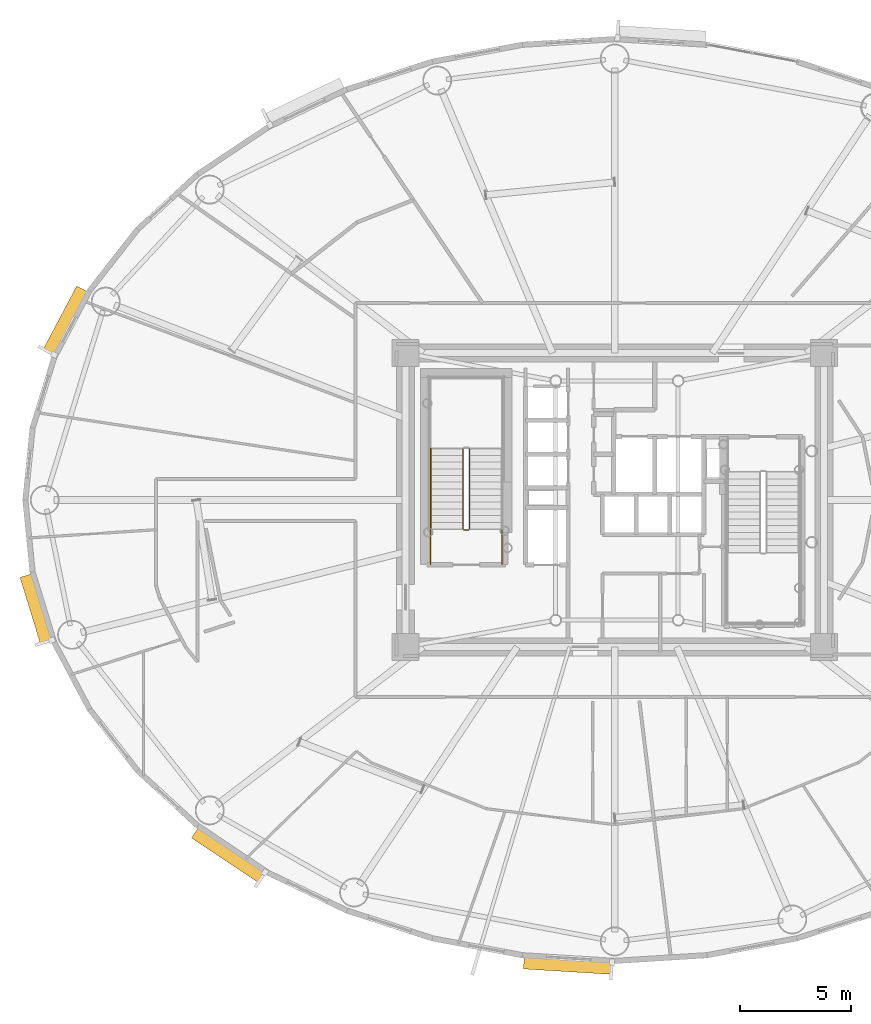
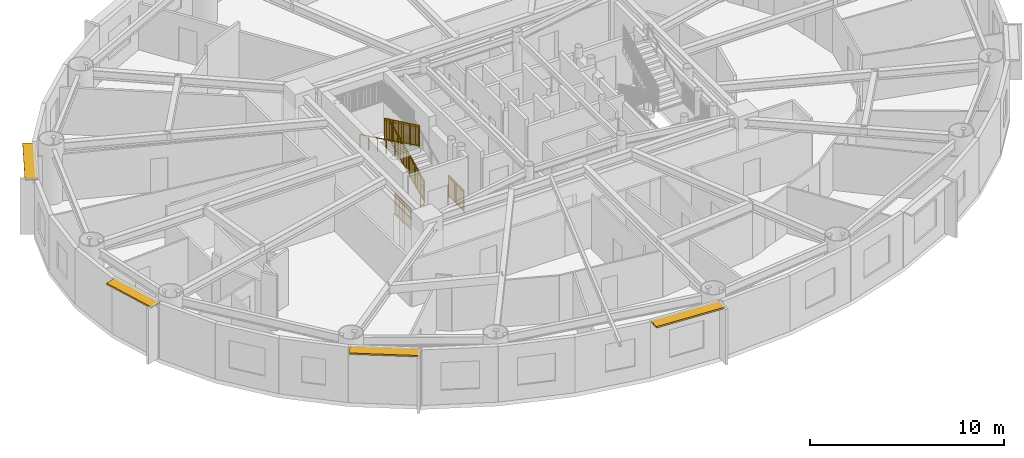
# One storey, part 16 of 21: 6 railings, 4 shading devices.
"""IFC4 building model written with IfcOpenShell, lengths in metres."""

from ifc_helpers import new_model, si_unit, direction, frame, origin, origin_2d, place, context, subcontext, project, spatial, rectangle, extrude, source, transform, mapped, material, layer, layer_set, type_object, element, save


model = new_model("IFC4")

# Units and contexts
model_context = context("Model", 3, precision=1e-05, world=origin(), true_north=direction((0.0, 1.0)))
body_context = subcontext(model_context, "Body", "Model", "MODEL_VIEW")
ifc_project = project(units=[si_unit("LENGTHUNIT", "METRE"), si_unit("AREAUNIT", "SQUARE_METRE"), si_unit("VOLUMEUNIT", "CUBIC_METRE"), si_unit("PLANEANGLEUNIT", "RADIAN"), si_unit("MASSUNIT", "GRAM", prefix="KILO")], contexts=[model_context])

# Site, building, storey
site_placement = place(None, origin())
site = spatial("IfcSite", under=ifc_project, at=site_placement, CompositionType="ELEMENT")
building_placement = place(site_placement, origin())
building = spatial("IfcBuilding", under=site, at=building_placement, Name="Linh Dai School and Residence Tower", CompositionType="ELEMENT")
storey_placement = place(building_placement, frame((0.0, 0.0, 171.14990234375)))
storey = spatial("IfcBuildingStorey", under=building, at=storey_placement, Name="L41", CompositionType="ELEMENT", Elevation=171.14990234375)

# Shading devices
ifc_material_1 = material(Name="Terracotta Ceramic Sunshade", Category="masonry")
ifc_layer = layer(ifc_material_1, 0.10009765625)
ifc_layer_set = layer_set([ifc_layer], Name="Terracotta Ceramic Sunshade")
shading_device_type = type_object("IfcShadingDeviceType", Name="SHD-TC-650", PredefinedType="USERDEFINED", material=ifc_layer_set)
shared_shape_1 = source(origin(), body_context, "Body", "SweptSolid", [
    extrude(rectangle(XDim=3.168212890625, YDim=0.64990234375, at=origin_2d()), origin(), (0.0, 0.0, 1.0), 0.10009765625),
])
shading_device_1_placement = place(storey_placement, frame((10.061279296875, 22.105224609375, 3.380126953125), z_axis=(0.0, 0.0, 1.0), x_axis=(-0.293121969301, 0.956075055167, 0.0)))
element("IfcShadingDevice", 1, at=shading_device_1_placement, inside=storey, type_object=shading_device_type, Name="L41 Terracotta Horizontal Sunshade Band 22", ObjectType="SUNSHADE", PredefinedType="USERDEFINED", context=body_context, shape_type="MappedRepresentation", body=[
    mapped(shared_shape_1, transform((0.0, 0.0, 0.0), x_axis=(1.0, 0.0, 0.0), y_axis=(0.0, 1.0, 0.0), z_axis=(0.0, 0.0, 1.0), scale=1.0)),
])
shared_shape_2 = source(origin(), body_context, "Body", "SweptSolid", [
    extrude(rectangle(XDim=3.64794921875, YDim=0.64990234375, at=origin_2d()), origin(), (0.0, 0.0, 1.0), 0.10009765625),
])
shading_device_2_placement = place(storey_placement, frame((18.68896484375, 11.076171875, 3.380126953125), z_axis=(0.0, 0.0, 1.0), x_axis=(-0.831228338651, 0.555931154932, 0.0)))
element("IfcShadingDevice", 2, at=shading_device_2_placement, inside=storey, type_object=shading_device_type, Name="L41 Terracotta Horizontal Sunshade Band 26", ObjectType="SUNSHADE", PredefinedType="USERDEFINED", context=body_context, shape_type="MappedRepresentation", body=[
    mapped(shared_shape_2, transform((0.0, 0.0, 0.0), x_axis=(1.0, 0.0, 0.0), y_axis=(0.0, 1.0, 0.0), z_axis=(0.0, 0.0, 1.0), scale=1.0)),
])
shared_shape_3 = source(origin(), body_context, "Body", "SweptSolid", [
    extrude(rectangle(XDim=3.987548828125, YDim=0.64990234375, at=origin_2d()), origin(), (0.0, 0.0, 1.0), 0.10009765625),
])
shading_device_3_placement = place(storey_placement, frame((33.90966796875, 6.13818359375, 3.380126953125), z_axis=(0.0, 0.0, 1.0), x_axis=(-0.99810632076, 0.061512376467, 0.0)))
element("IfcShadingDevice", 3, at=shading_device_3_placement, inside=storey, type_object=shading_device_type, Name="L41 Terracotta Horizontal Sunshade Band 30", ObjectType="SUNSHADE", PredefinedType="USERDEFINED", context=body_context, shape_type="MappedRepresentation", body=[
    mapped(shared_shape_3, transform((0.0, 0.0, 0.0), x_axis=(1.0, 0.0, 0.0), y_axis=(0.0, 1.0, 0.0), z_axis=(0.0, 0.0, 1.0), scale=1.0)),
])
shared_shape_4 = source(origin(), body_context, "Body", "SweptSolid", [
    extrude(rectangle(XDim=3.257568359375, YDim=0.64990234375, at=origin_2d()), origin(), (0.0, 0.0, 1.0), 0.10009765625),
])
shading_device_4_placement = place(storey_placement, frame((11.358642578125, 35.02197265625, 3.380126953125), z_axis=(0.0, 0.0, 1.0), x_axis=(0.467580060884, 0.883950726378, 0.0)))
element("IfcShadingDevice", 4, at=shading_device_4_placement, inside=storey, type_object=shading_device_type, Name="L41 Terracotta Horizontal Sunshade Band 18", ObjectType="SUNSHADE", PredefinedType="USERDEFINED", context=body_context, shape_type="MappedRepresentation", body=[
    mapped(shared_shape_4, transform((0.0, 0.0, 0.0), x_axis=(1.0, 0.0, 0.0), y_axis=(0.0, 1.0, 0.0), z_axis=(0.0, 0.0, 1.0), scale=1.0)),
])

# Railings
ifc_material_2 = material(Name="Structural Steel S355JR", Category="steel")
railing_type_1 = type_object("IfcRailingType", Name="RL-ST-GUARD-1400", PredefinedType="GUARDRAIL", material=ifc_material_2)
shared_shape_5 = source(origin(), body_context, "Body", "SweptSolid", [
    extrude(rectangle(XDim=0.048095703125, YDim=0.048095703125, at=origin_2d()), frame((0.0, 0.0, 1.3759765625), z_axis=(-1.0, 0.0, 0.0), x_axis=(0.0, -1.0, 0.0)), (0.0, 0.0, 1.0), 0.199951171875),
    extrude(rectangle(XDim=0.048095703125, YDim=0.048095703125, at=origin_2d()), frame((0.0, 0.0, 0.10009765625), z_axis=(-1.0, 0.0, 0.0), x_axis=(0.0, -1.0, 0.0)), (0.0, 0.0, 1.0), 0.199951171875),
    extrude(rectangle(XDim=0.030029296875, YDim=0.030029296875, at=origin_2d()), frame((0.0, 0.0, 1.239990234375), z_axis=(-1.0, 0.0, 0.0), x_axis=(0.0, -1.0, 0.0)), (0.0, 0.0, 1.0), 0.199951171875),
    extrude(rectangle(XDim=0.0419921875, YDim=0.0419921875, at=origin_2d()), origin(), (0.0, 0.0, 1.0), 1.3759765625),
    extrude(rectangle(XDim=0.0419921875, YDim=0.0419921875, at=origin_2d()), frame((-0.199951171875, 0.0, 0.0)), (0.0, 0.0, 1.0), 1.3759765625),
])
railing_1_placement = place(storey_placement, frame((29.429931640625, 25.64990234375, 0.0)))
element("IfcRailing", 5, at=railing_1_placement, inside=storey, type_object=railing_type_1, Name="L41 ST1 stair guard 7", PredefinedType="GUARDRAIL", context=body_context, shape_type="MappedRepresentation", body=[
    mapped(shared_shape_5, transform((0.0, 0.0, 0.0), x_axis=(1.0, 0.0, 0.0), y_axis=(0.0, 1.0, 0.0), z_axis=(0.0, 0.0, 1.0), scale=1.0)),
])
shared_shape_6 = source(origin(), body_context, "Body", "SweptSolid", [
    extrude(rectangle(XDim=0.048095703125, YDim=0.048095703125, at=origin_2d()), frame((0.0, 0.0, 1.3759765625), z_axis=(0.0, 1.0, 0.0), x_axis=(-1.0, 0.0, 0.0)), (0.0, 0.0, 1.0), 1.599853515625),
    extrude(rectangle(XDim=0.048095703125, YDim=0.048095703125, at=origin_2d()), frame((0.0, 0.0, 0.10009765625), z_axis=(0.0, 1.0, 0.0), x_axis=(-1.0, 0.0, 0.0)), (0.0, 0.0, 1.0), 1.599853515625),
    extrude(rectangle(XDim=0.030029296875, YDim=0.030029296875, at=origin_2d()), frame((0.0, 0.0, 1.239990234375), z_axis=(0.0, 1.0, 0.0), x_axis=(-1.0, 0.0, 0.0)), (0.0, 0.0, 1.0), 1.599853515625),
    extrude(rectangle(XDim=0.02001953125, YDim=0.02001953125, at=origin_2d()), frame((0.0, 0.093994140625, 0.10009765625)), (0.0, 0.0, 1.0), 1.251708984375),
    extrude(rectangle(XDim=0.02001953125, YDim=0.02001953125, at=origin_2d()), frame((0.0, 0.188232421875, 0.10009765625)), (0.0, 0.0, 1.0), 1.251708984375),
    extrude(rectangle(XDim=0.02001953125, YDim=0.02001953125, at=origin_2d()), frame((0.0, 0.2822265625, 0.10009765625)), (0.0, 0.0, 1.0), 1.251708984375),
    extrude(rectangle(XDim=0.02001953125, YDim=0.02001953125, at=origin_2d()), frame((0.0, 0.37646484375, 0.10009765625)), (0.0, 0.0, 1.0), 1.251708984375),
    extrude(rectangle(XDim=0.02001953125, YDim=0.02001953125, at=origin_2d()), frame((0.0, 0.470458984375, 0.10009765625)), (0.0, 0.0, 1.0), 1.251708984375),
    extrude(rectangle(XDim=0.02001953125, YDim=0.02001953125, at=origin_2d()), frame((0.0, 0.564697265625, 0.10009765625)), (0.0, 0.0, 1.0), 1.251708984375),
    extrude(rectangle(XDim=0.02001953125, YDim=0.02001953125, at=origin_2d()), frame((0.0, 0.65869140625, 0.10009765625)), (0.0, 0.0, 1.0), 1.251708984375),
    extrude(rectangle(XDim=0.02001953125, YDim=0.02001953125, at=origin_2d()), frame((0.0, 0.7529296875, 0.10009765625)), (0.0, 0.0, 1.0), 1.251708984375),
    extrude(rectangle(XDim=0.02001953125, YDim=0.02001953125, at=origin_2d()), frame((0.0, 0.846923828125, 0.10009765625)), (0.0, 0.0, 1.0), 1.251708984375),
    extrude(rectangle(XDim=0.02001953125, YDim=0.02001953125, at=origin_2d()), frame((0.0, 0.941162109375, 0.10009765625)), (0.0, 0.0, 1.0), 1.251708984375),
    extrude(rectangle(XDim=0.02001953125, YDim=0.02001953125, at=origin_2d()), frame((0.0, 1.03515625, 0.10009765625)), (0.0, 0.0, 1.0), 1.251708984375),
    extrude(rectangle(XDim=0.02001953125, YDim=0.02001953125, at=origin_2d()), frame((0.0, 1.12939453125, 0.10009765625)), (0.0, 0.0, 1.0), 1.251708984375),
    extrude(rectangle(XDim=0.02001953125, YDim=0.02001953125, at=origin_2d()), frame((0.0, 1.223388671875, 0.10009765625)), (0.0, 0.0, 1.0), 1.251708984375),
    extrude(rectangle(XDim=0.02001953125, YDim=0.02001953125, at=origin_2d()), frame((0.0, 1.317626953125, 0.10009765625)), (0.0, 0.0, 1.0), 1.251708984375),
    extrude(rectangle(XDim=0.02001953125, YDim=0.02001953125, at=origin_2d()), frame((0.0, 1.41162109375, 0.10009765625)), (0.0, 0.0, 1.0), 1.251708984375),
    extrude(rectangle(XDim=0.02001953125, YDim=0.02001953125, at=origin_2d()), frame((0.0, 1.505859375, 0.10009765625)), (0.0, 0.0, 1.0), 1.251708984375),
    extrude(rectangle(XDim=0.0419921875, YDim=0.0419921875, at=origin_2d()), origin(), (0.0, 0.0, 1.0), 1.3759765625),
    extrude(rectangle(XDim=0.0419921875, YDim=0.0419921875, at=origin_2d()), frame((0.0, 0.7998046875, 0.0)), (0.0, 0.0, 1.0), 1.3759765625),
    extrude(rectangle(XDim=0.0419921875, YDim=0.0419921875, at=origin_2d()), frame((0.0, 1.599853515625, 0.0)), (0.0, 0.0, 1.0), 1.3759765625),
])
for number, where, name in (
    (6, (30.929931640625, 24.10009765625, 0.0), "L41 ST1 stair guard 8"),
    (7, (27.72998046875, 24.10009765625, 0.0), "L41 ST1 stair guard 9"),
):
    element("IfcRailing", number, at=place(storey_placement, frame(where)), inside=storey, type_object=railing_type_1, Name=name, PredefinedType="GUARDRAIL", context=body_context, shape_type="MappedRepresentation", body=[
        mapped(shared_shape_6, transform((0.0, 0.0, 0.0), x_axis=(1.0, 0.0, 0.0), y_axis=(0.0, 1.0, 0.0), z_axis=(0.0, 0.0, 1.0), scale=1.0)),
    ])
shared_shape_7 = source(origin(), body_context, "Body", "SweptSolid", [
    extrude(rectangle(XDim=0.048095703125, YDim=0.048095703125, at=origin_2d()), frame((0.0, 0.0, 1.3759765625), z_axis=(0.0, 0.901262522062, 0.433273431364), x_axis=(-1.0, 0.0, 0.0)), (0.0, 0.0, 1.0), 3.994384765625),
    extrude(rectangle(XDim=0.048095703125, YDim=0.048095703125, at=origin_2d()), frame((0.0, 0.0, 0.10009765625), z_axis=(0.0, 0.901262522062, 0.433273431364), x_axis=(-1.0, 0.0, 0.0)), (0.0, 0.0, 1.0), 3.994384765625),
    extrude(rectangle(XDim=0.030029296875, YDim=0.030029296875, at=origin_2d()), frame((0.0, 0.0, 1.239990234375), z_axis=(0.0, 0.901262522062, 0.433273431364), x_axis=(-1.0, 0.0, 0.0)), (0.0, 0.0, 1.0), 3.994384765625),
    extrude(rectangle(XDim=0.02001953125, YDim=0.02001953125, at=origin_2d()), frame((0.0, 0.087890625, 0.142333984375)), (0.0, 0.0, 1.0), 1.251708984375),
    extrude(rectangle(XDim=0.02001953125, YDim=0.02001953125, at=origin_2d()), frame((0.0, 0.175537109375, 0.1845703125)), (0.0, 0.0, 1.0), 1.251708984375),
    extrude(rectangle(XDim=0.02001953125, YDim=0.02001953125, at=origin_2d()), frame((0.0, 0.263427734375, 0.226806640625)), (0.0, 0.0, 1.0), 1.251708984375),
    extrude(rectangle(XDim=0.02001953125, YDim=0.02001953125, at=origin_2d()), frame((0.0, 0.351318359375, 0.26904296875)), (0.0, 0.0, 1.0), 1.251708984375),
    extrude(rectangle(XDim=0.02001953125, YDim=0.02001953125, at=origin_2d()), frame((0.0, 0.43896484375, 0.311279296875)), (0.0, 0.0, 1.0), 1.251708984375),
    extrude(rectangle(XDim=0.02001953125, YDim=0.02001953125, at=origin_2d()), frame((0.0, 0.52685546875, 0.353271484375)), (0.0, 0.0, 1.0), 1.251708984375),
    extrude(rectangle(XDim=0.02001953125, YDim=0.02001953125, at=origin_2d()), frame((0.0, 0.61474609375, 0.3955078125)), (0.0, 0.0, 1.0), 1.251708984375),
    extrude(rectangle(XDim=0.02001953125, YDim=0.02001953125, at=origin_2d()), frame((0.0, 0.702392578125, 0.437744140625)), (0.0, 0.0, 1.0), 1.251708984375),
    extrude(rectangle(XDim=0.02001953125, YDim=0.02001953125, at=origin_2d()), frame((0.0, 0.790283203125, 0.47998046875)), (0.0, 0.0, 1.0), 1.251708984375),
    extrude(rectangle(XDim=0.02001953125, YDim=0.02001953125, at=origin_2d()), frame((0.0, 0.9658203125, 0.564453125)), (0.0, 0.0, 1.0), 1.251708984375),
    extrude(rectangle(XDim=0.02001953125, YDim=0.02001953125, at=origin_2d()), frame((0.0, 1.0537109375, 0.606689453125)), (0.0, 0.0, 1.0), 1.251708984375),
    extrude(rectangle(XDim=0.02001953125, YDim=0.02001953125, at=origin_2d()), frame((0.0, 1.1416015625, 0.64892578125)), (0.0, 0.0, 1.0), 1.251708984375),
    extrude(rectangle(XDim=0.02001953125, YDim=0.02001953125, at=origin_2d()), frame((0.0, 1.229248046875, 0.691162109375)), (0.0, 0.0, 1.0), 1.251708984375),
    extrude(rectangle(XDim=0.02001953125, YDim=0.02001953125, at=origin_2d()), frame((0.0, 1.317138671875, 0.7333984375)), (0.0, 0.0, 1.0), 1.251708984375),
    extrude(rectangle(XDim=0.02001953125, YDim=0.02001953125, at=origin_2d()), frame((0.0, 1.405029296875, 0.775390625)), (0.0, 0.0, 1.0), 1.251708984375),
    extrude(rectangle(XDim=0.02001953125, YDim=0.02001953125, at=origin_2d()), frame((0.0, 1.49267578125, 0.817626953125)), (0.0, 0.0, 1.0), 1.251708984375),
    extrude(rectangle(XDim=0.02001953125, YDim=0.02001953125, at=origin_2d()), frame((0.0, 1.58056640625, 0.85986328125)), (0.0, 0.0, 1.0), 1.251708984375),
    extrude(rectangle(XDim=0.02001953125, YDim=0.02001953125, at=origin_2d()), frame((0.0, 1.66845703125, 0.902099609375)), (0.0, 0.0, 1.0), 1.251708984375),
    extrude(rectangle(XDim=0.02001953125, YDim=0.02001953125, at=origin_2d()), frame((0.0, 1.756103515625, 0.9443359375)), (0.0, 0.0, 1.0), 1.251708984375),
    extrude(rectangle(XDim=0.02001953125, YDim=0.02001953125, at=origin_2d()), frame((0.0, 1.843994140625, 0.986572265625)), (0.0, 0.0, 1.0), 1.251708984375),
    extrude(rectangle(XDim=0.02001953125, YDim=0.02001953125, at=origin_2d()), frame((0.0, 1.931640625, 1.02880859375)), (0.0, 0.0, 1.0), 1.251708984375),
    extrude(rectangle(XDim=0.02001953125, YDim=0.02001953125, at=origin_2d()), frame((0.0, 2.01953125, 1.071044921875)), (0.0, 0.0, 1.0), 1.251708984375),
    extrude(rectangle(XDim=0.02001953125, YDim=0.02001953125, at=origin_2d()), frame((0.0, 2.107421875, 1.11328125)), (0.0, 0.0, 1.0), 1.251708984375),
    extrude(rectangle(XDim=0.02001953125, YDim=0.02001953125, at=origin_2d()), frame((0.0, 2.195068359375, 1.155517578125)), (0.0, 0.0, 1.0), 1.251708984375),
    extrude(rectangle(XDim=0.02001953125, YDim=0.02001953125, at=origin_2d()), frame((0.0, 2.282958984375, 1.197509765625)), (0.0, 0.0, 1.0), 1.251708984375),
    extrude(rectangle(XDim=0.02001953125, YDim=0.02001953125, at=origin_2d()), frame((0.0, 2.370849609375, 1.23974609375)), (0.0, 0.0, 1.0), 1.251708984375),
    extrude(rectangle(XDim=0.02001953125, YDim=0.02001953125, at=origin_2d()), frame((0.0, 2.45849609375, 1.281982421875)), (0.0, 0.0, 1.0), 1.251708984375),
    extrude(rectangle(XDim=0.02001953125, YDim=0.02001953125, at=origin_2d()), frame((0.0, 2.54638671875, 1.32421875)), (0.0, 0.0, 1.0), 1.251708984375),
    extrude(rectangle(XDim=0.02001953125, YDim=0.02001953125, at=origin_2d()), frame((0.0, 2.63427734375, 1.366455078125)), (0.0, 0.0, 1.0), 1.251708984375),
    extrude(rectangle(XDim=0.02001953125, YDim=0.02001953125, at=origin_2d()), frame((0.0, 2.809814453125, 1.450927734375)), (0.0, 0.0, 1.0), 1.251708984375),
    extrude(rectangle(XDim=0.02001953125, YDim=0.02001953125, at=origin_2d()), frame((0.0, 2.897705078125, 1.4931640625)), (0.0, 0.0, 1.0), 1.251708984375),
    extrude(rectangle(XDim=0.02001953125, YDim=0.02001953125, at=origin_2d()), frame((0.0, 2.9853515625, 1.535400390625)), (0.0, 0.0, 1.0), 1.251708984375),
    extrude(rectangle(XDim=0.02001953125, YDim=0.02001953125, at=origin_2d()), frame((0.0, 3.0732421875, 1.57763671875)), (0.0, 0.0, 1.0), 1.251708984375),
    extrude(rectangle(XDim=0.02001953125, YDim=0.02001953125, at=origin_2d()), frame((0.0, 3.1611328125, 1.61962890625)), (0.0, 0.0, 1.0), 1.251708984375),
    extrude(rectangle(XDim=0.02001953125, YDim=0.02001953125, at=origin_2d()), frame((0.0, 3.248779296875, 1.661865234375)), (0.0, 0.0, 1.0), 1.251708984375),
    extrude(rectangle(XDim=0.02001953125, YDim=0.02001953125, at=origin_2d()), frame((0.0, 3.336669921875, 1.7041015625)), (0.0, 0.0, 1.0), 1.251708984375),
    extrude(rectangle(XDim=0.02001953125, YDim=0.02001953125, at=origin_2d()), frame((0.0, 3.424560546875, 1.746337890625)), (0.0, 0.0, 1.0), 1.251708984375),
    extrude(rectangle(XDim=0.02001953125, YDim=0.02001953125, at=origin_2d()), frame((0.0, 3.51220703125, 1.78857421875)), (0.0, 0.0, 1.0), 1.251708984375),
    extrude(rectangle(XDim=0.0419921875, YDim=0.0419921875, at=origin_2d()), origin(), (0.0, 0.0, 1.0), 1.3759765625),
    extrude(rectangle(XDim=0.0419921875, YDim=0.0419921875, at=origin_2d()), frame((0.0, 0.89990234375, 0.4326171875)), (0.0, 0.0, 1.0), 1.3759765625),
    extrude(rectangle(XDim=0.0419921875, YDim=0.0419921875, at=origin_2d()), frame((0.0, 1.800048828125, 0.865234375)), (0.0, 0.0, 1.0), 1.3759765625),
    extrude(rectangle(XDim=0.0419921875, YDim=0.0419921875, at=origin_2d()), frame((0.0, 2.7001953125, 1.298095703125)), (0.0, 0.0, 1.0), 1.3759765625),
    extrude(rectangle(XDim=0.0419921875, YDim=0.0419921875, at=origin_2d()), frame((0.0, 3.60009765625, 1.730712890625)), (0.0, 0.0, 1.0), 1.3759765625),
])
railing_2_placement = place(storey_placement, frame((29.47998046875, 25.699951171875, 0.144287109375)))
element("IfcRailing", 8, at=railing_2_placement, inside=storey, type_object=railing_type_1, Name="L41 ST1 stair guard 1", PredefinedType="GUARDRAIL", context=body_context, shape_type="MappedRepresentation", body=[
    mapped(shared_shape_7, transform((0.0, 0.0, 0.0), x_axis=(1.0, 0.0, 0.0), y_axis=(0.0, 1.0, 0.0), z_axis=(0.0, 0.0, 1.0), scale=1.0)),
])
shared_shape_8 = source(origin(), body_context, "Body", "SweptSolid", [
    extrude(rectangle(XDim=0.048095703125, YDim=0.048095703125, at=origin_2d()), frame((0.0, 0.0, 1.3759765625), z_axis=(0.0, -0.901262522062, 0.433273431364), x_axis=(1.0, 0.0, 0.0)), (0.0, 0.0, 1.0), 3.994384765625),
    extrude(rectangle(XDim=0.048095703125, YDim=0.048095703125, at=origin_2d()), frame((0.0, 0.0, 0.10009765625), z_axis=(0.0, -0.901262522062, 0.433273431364), x_axis=(1.0, 0.0, 0.0)), (0.0, 0.0, 1.0), 3.994384765625),
    extrude(rectangle(XDim=0.030029296875, YDim=0.030029296875, at=origin_2d()), frame((0.0, 0.0, 1.239990234375), z_axis=(0.0, -0.901262522062, 0.433273431364), x_axis=(1.0, 0.0, 0.0)), (0.0, 0.0, 1.0), 3.994384765625),
    extrude(rectangle(XDim=0.02001953125, YDim=0.02001953125, at=origin_2d()), frame((0.0, -0.087890625, 0.142333984375)), (0.0, 0.0, 1.0), 1.251708984375),
    extrude(rectangle(XDim=0.02001953125, YDim=0.02001953125, at=origin_2d()), frame((0.0, -0.175537109375, 0.1845703125)), (0.0, 0.0, 1.0), 1.251708984375),
    extrude(rectangle(XDim=0.02001953125, YDim=0.02001953125, at=origin_2d()), frame((0.0, -0.263427734375, 0.226806640625)), (0.0, 0.0, 1.0), 1.251708984375),
    extrude(rectangle(XDim=0.02001953125, YDim=0.02001953125, at=origin_2d()), frame((0.0, -0.351318359375, 0.26904296875)), (0.0, 0.0, 1.0), 1.251708984375),
    extrude(rectangle(XDim=0.02001953125, YDim=0.02001953125, at=origin_2d()), frame((0.0, -0.43896484375, 0.311279296875)), (0.0, 0.0, 1.0), 1.251708984375),
    extrude(rectangle(XDim=0.02001953125, YDim=0.02001953125, at=origin_2d()), frame((0.0, -0.52685546875, 0.353271484375)), (0.0, 0.0, 1.0), 1.251708984375),
    extrude(rectangle(XDim=0.02001953125, YDim=0.02001953125, at=origin_2d()), frame((0.0, -0.61474609375, 0.3955078125)), (0.0, 0.0, 1.0), 1.251708984375),
    extrude(rectangle(XDim=0.02001953125, YDim=0.02001953125, at=origin_2d()), frame((0.0, -0.702392578125, 0.437744140625)), (0.0, 0.0, 1.0), 1.251708984375),
    extrude(rectangle(XDim=0.02001953125, YDim=0.02001953125, at=origin_2d()), frame((0.0, -0.790283203125, 0.47998046875)), (0.0, 0.0, 1.0), 1.251708984375),
    extrude(rectangle(XDim=0.02001953125, YDim=0.02001953125, at=origin_2d()), frame((0.0, -0.9658203125, 0.564453125)), (0.0, 0.0, 1.0), 1.251708984375),
    extrude(rectangle(XDim=0.02001953125, YDim=0.02001953125, at=origin_2d()), frame((0.0, -1.0537109375, 0.606689453125)), (0.0, 0.0, 1.0), 1.251708984375),
    extrude(rectangle(XDim=0.02001953125, YDim=0.02001953125, at=origin_2d()), frame((0.0, -1.1416015625, 0.64892578125)), (0.0, 0.0, 1.0), 1.251708984375),
    extrude(rectangle(XDim=0.02001953125, YDim=0.02001953125, at=origin_2d()), frame((0.0, -1.229248046875, 0.691162109375)), (0.0, 0.0, 1.0), 1.251708984375),
    extrude(rectangle(XDim=0.02001953125, YDim=0.02001953125, at=origin_2d()), frame((0.0, -1.317138671875, 0.7333984375)), (0.0, 0.0, 1.0), 1.251708984375),
    extrude(rectangle(XDim=0.02001953125, YDim=0.02001953125, at=origin_2d()), frame((0.0, -1.405029296875, 0.775390625)), (0.0, 0.0, 1.0), 1.251708984375),
    extrude(rectangle(XDim=0.02001953125, YDim=0.02001953125, at=origin_2d()), frame((0.0, -1.49267578125, 0.817626953125)), (0.0, 0.0, 1.0), 1.251708984375),
    extrude(rectangle(XDim=0.02001953125, YDim=0.02001953125, at=origin_2d()), frame((0.0, -1.58056640625, 0.85986328125)), (0.0, 0.0, 1.0), 1.251708984375),
    extrude(rectangle(XDim=0.02001953125, YDim=0.02001953125, at=origin_2d()), frame((0.0, -1.66845703125, 0.902099609375)), (0.0, 0.0, 1.0), 1.251708984375),
    extrude(rectangle(XDim=0.02001953125, YDim=0.02001953125, at=origin_2d()), frame((0.0, -1.756103515625, 0.9443359375)), (0.0, 0.0, 1.0), 1.251708984375),
    extrude(rectangle(XDim=0.02001953125, YDim=0.02001953125, at=origin_2d()), frame((0.0, -1.843994140625, 0.986572265625)), (0.0, 0.0, 1.0), 1.251708984375),
    extrude(rectangle(XDim=0.02001953125, YDim=0.02001953125, at=origin_2d()), frame((0.0, -1.931640625, 1.02880859375)), (0.0, 0.0, 1.0), 1.251708984375),
    extrude(rectangle(XDim=0.02001953125, YDim=0.02001953125, at=origin_2d()), frame((0.0, -2.01953125, 1.071044921875)), (0.0, 0.0, 1.0), 1.251708984375),
    extrude(rectangle(XDim=0.02001953125, YDim=0.02001953125, at=origin_2d()), frame((0.0, -2.107421875, 1.11328125)), (0.0, 0.0, 1.0), 1.251708984375),
    extrude(rectangle(XDim=0.02001953125, YDim=0.02001953125, at=origin_2d()), frame((0.0, -2.195068359375, 1.155517578125)), (0.0, 0.0, 1.0), 1.251708984375),
    extrude(rectangle(XDim=0.02001953125, YDim=0.02001953125, at=origin_2d()), frame((0.0, -2.282958984375, 1.197509765625)), (0.0, 0.0, 1.0), 1.251708984375),
    extrude(rectangle(XDim=0.02001953125, YDim=0.02001953125, at=origin_2d()), frame((0.0, -2.370849609375, 1.23974609375)), (0.0, 0.0, 1.0), 1.251708984375),
    extrude(rectangle(XDim=0.02001953125, YDim=0.02001953125, at=origin_2d()), frame((0.0, -2.45849609375, 1.281982421875)), (0.0, 0.0, 1.0), 1.251708984375),
    extrude(rectangle(XDim=0.02001953125, YDim=0.02001953125, at=origin_2d()), frame((0.0, -2.54638671875, 1.32421875)), (0.0, 0.0, 1.0), 1.251708984375),
    extrude(rectangle(XDim=0.02001953125, YDim=0.02001953125, at=origin_2d()), frame((0.0, -2.63427734375, 1.366455078125)), (0.0, 0.0, 1.0), 1.251708984375),
    extrude(rectangle(XDim=0.02001953125, YDim=0.02001953125, at=origin_2d()), frame((0.0, -2.809814453125, 1.450927734375)), (0.0, 0.0, 1.0), 1.251708984375),
    extrude(rectangle(XDim=0.02001953125, YDim=0.02001953125, at=origin_2d()), frame((0.0, -2.897705078125, 1.4931640625)), (0.0, 0.0, 1.0), 1.251708984375),
    extrude(rectangle(XDim=0.02001953125, YDim=0.02001953125, at=origin_2d()), frame((0.0, -2.9853515625, 1.535400390625)), (0.0, 0.0, 1.0), 1.251708984375),
    extrude(rectangle(XDim=0.02001953125, YDim=0.02001953125, at=origin_2d()), frame((0.0, -3.0732421875, 1.57763671875)), (0.0, 0.0, 1.0), 1.251708984375),
    extrude(rectangle(XDim=0.02001953125, YDim=0.02001953125, at=origin_2d()), frame((0.0, -3.1611328125, 1.61962890625)), (0.0, 0.0, 1.0), 1.251708984375),
    extrude(rectangle(XDim=0.02001953125, YDim=0.02001953125, at=origin_2d()), frame((0.0, -3.248779296875, 1.661865234375)), (0.0, 0.0, 1.0), 1.251708984375),
    extrude(rectangle(XDim=0.02001953125, YDim=0.02001953125, at=origin_2d()), frame((0.0, -3.336669921875, 1.7041015625)), (0.0, 0.0, 1.0), 1.251708984375),
    extrude(rectangle(XDim=0.02001953125, YDim=0.02001953125, at=origin_2d()), frame((0.0, -3.424560546875, 1.746337890625)), (0.0, 0.0, 1.0), 1.251708984375),
    extrude(rectangle(XDim=0.02001953125, YDim=0.02001953125, at=origin_2d()), frame((0.0, -3.51220703125, 1.78857421875)), (0.0, 0.0, 1.0), 1.251708984375),
    extrude(rectangle(XDim=0.0419921875, YDim=0.0419921875, at=origin_2d()), origin(), (0.0, 0.0, 1.0), 1.3759765625),
    extrude(rectangle(XDim=0.0419921875, YDim=0.0419921875, at=origin_2d()), frame((0.0, -0.89990234375, 0.4326171875)), (0.0, 0.0, 1.0), 1.3759765625),
    extrude(rectangle(XDim=0.0419921875, YDim=0.0419921875, at=origin_2d()), frame((0.0, -1.800048828125, 0.865234375)), (0.0, 0.0, 1.0), 1.3759765625),
    extrude(rectangle(XDim=0.0419921875, YDim=0.0419921875, at=origin_2d()), frame((0.0, -2.7001953125, 1.298095703125)), (0.0, 0.0, 1.0), 1.3759765625),
    extrude(rectangle(XDim=0.0419921875, YDim=0.0419921875, at=origin_2d()), frame((0.0, -3.60009765625, 1.730712890625)), (0.0, 0.0, 1.0), 1.3759765625),
])
railing_3_placement = place(storey_placement, frame((29.179931640625, 29.300048828125, 2.019287109375)))
element("IfcRailing", 9, at=railing_3_placement, inside=storey, type_object=railing_type_1, Name="L41 ST1 stair guard 6", PredefinedType="GUARDRAIL", context=body_context, shape_type="MappedRepresentation", body=[
    mapped(shared_shape_8, transform((0.0, 0.0, 0.0), x_axis=(1.0, 0.0, 0.0), y_axis=(0.0, 1.0, 0.0), z_axis=(0.0, 0.0, 1.0), scale=1.0)),
])
ifc_material_3 = material(Name="Brushed Stainless Steel Handrail", Category="steel")
railing_type_2 = type_object("IfcRailingType", Name="RL-ST-HANDRAIL-900", PredefinedType="HANDRAIL", material=ifc_material_3)
shared_shape_9 = source(origin(), body_context, "Body", "SweptSolid", [
    extrude(rectangle(XDim=0.048095703125, YDim=0.048095703125, at=origin_2d()), frame((0.0, 0.0, 0.8759765625), z_axis=(0.0, -0.901262522062, 0.433273431364), x_axis=(1.0, 0.0, 0.0)), (0.0, 0.0, 1.0), 3.994384765625),
    extrude(rectangle(XDim=0.0419921875, YDim=0.0419921875, at=origin_2d()), origin(), (0.0, 0.0, 1.0), 0.8759765625),
    extrude(rectangle(XDim=0.0419921875, YDim=0.0419921875, at=origin_2d()), frame((0.0, -0.89990234375, 0.4326171875)), (0.0, 0.0, 1.0), 0.8759765625),
    extrude(rectangle(XDim=0.0419921875, YDim=0.0419921875, at=origin_2d()), frame((0.0, -1.800048828125, 0.865234375)), (0.0, 0.0, 1.0), 0.8759765625),
    extrude(rectangle(XDim=0.0419921875, YDim=0.0419921875, at=origin_2d()), frame((0.0, -2.7001953125, 1.298095703125)), (0.0, 0.0, 1.0), 0.8759765625),
    extrude(rectangle(XDim=0.0419921875, YDim=0.0419921875, at=origin_2d()), frame((0.0, -3.60009765625, 1.730712890625)), (0.0, 0.0, 1.0), 0.8759765625),
])
railing_4_placement = place(storey_placement, frame((27.72998046875, 29.300048828125, 2.019287109375)))
element("IfcRailing", 10, at=railing_4_placement, inside=storey, type_object=railing_type_2, Name="L41 ST1 stair handrail 2", PredefinedType="HANDRAIL", context=body_context, shape_type="MappedRepresentation", body=[
    mapped(shared_shape_9, transform((0.0, 0.0, 0.0), x_axis=(1.0, 0.0, 0.0), y_axis=(0.0, 1.0, 0.0), z_axis=(0.0, 0.0, 1.0), scale=1.0)),
])

save(model, "model.ifc")
